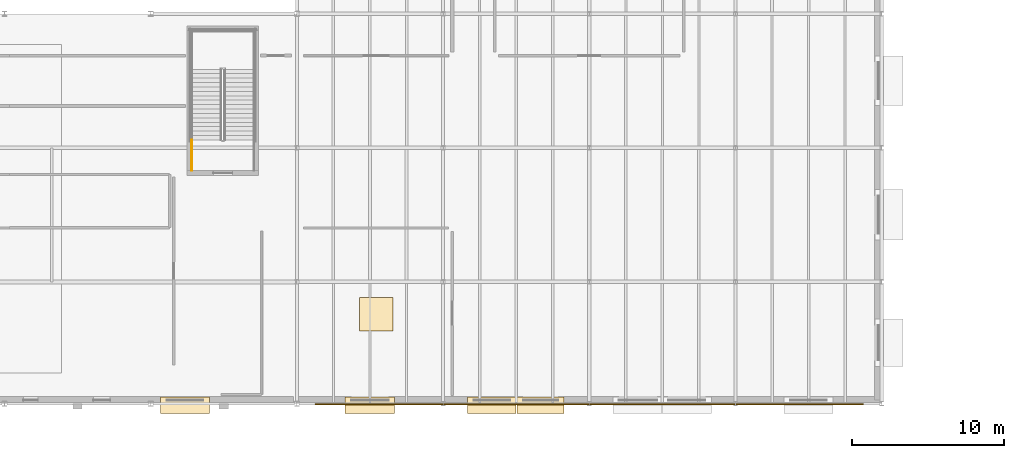
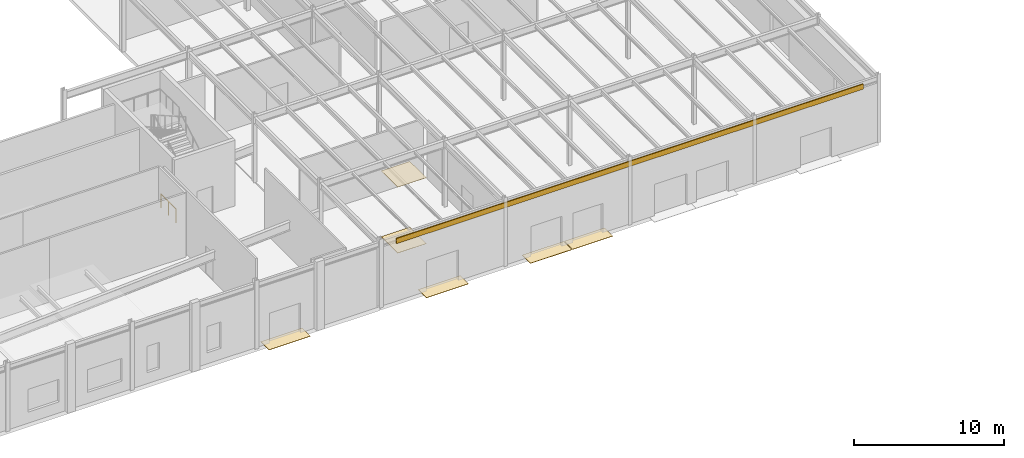
# One storey, part 57 of 70: 7 coverings, 1 railing.
"""IFC4 building model written with IfcOpenShell, lengths in metres."""

from ifc_helpers import new_model, si_unit, direction, frame, origin, origin_2d, place, context, subcontext, project, spatial, rectangle, circle, extrude, material, layer, layer_set, type_object, element, save


model = new_model("IFC4")

# Units and contexts
model_context = context("Model", 3, precision=1e-05, world=origin(), true_north=direction((0.0, 1.0)))
body_context = subcontext(model_context, "Body", "Model", "MODEL_VIEW")
ifc_project = project(units=[si_unit("LENGTHUNIT", "METRE"), si_unit("AREAUNIT", "SQUARE_METRE"), si_unit("VOLUMEUNIT", "CUBIC_METRE"), si_unit("PLANEANGLEUNIT", "RADIAN"), si_unit("MASSUNIT", "GRAM", prefix="KILO")], contexts=[model_context])

# Site, building, storey
site_placement = place(None, origin())
site = spatial("IfcSite", under=ifc_project, at=site_placement, CompositionType="ELEMENT")
building_placement = place(site_placement, origin())
building = spatial("IfcBuilding", under=site, at=building_placement, Name="Sarnbrook Museum", CompositionType="ELEMENT")
storey_placement = place(building_placement, origin())
storey = spatial("IfcBuildingStorey", under=building, at=storey_placement, Name="L00", CompositionType="ELEMENT", Elevation=0.0)

# Coverings
ifc_material_1 = material(Name="Fire-Rated Acoustic Gypsum Plasterboard")
ifc_layer_1 = layer(ifc_material_1, 0.01806640625)
ifc_layer_set_1 = layer_set([ifc_layer_1], Name="Fire-Rated Acoustic Gypsum Plasterboard")
covering_type_1 = type_object("IfcCoveringType", Name="Ceil_Acoustic18", PredefinedType="CEILING", material=ifc_layer_set_1)
covering_1_placement = place(storey_placement, frame((86.010009765625, 10.68505859375, 5.3720703125), z_axis=(0.0, 0.0, 1.0), x_axis=(1.0, 0.0, 0.0)))
element("IfcCovering", 1, at=covering_1_placement, inside=storey, type_object=covering_type_1, Name="Acoustic Ceiling Baffle Panel L00-04", PredefinedType="CEILING", context=body_context, shape_type="SweptSolid", body=[
    extrude(rectangle(XDim=2.199951171875, YDim=2.199951171875, at=origin_2d()), origin(), (0.0, 0.0, 1.0), 0.01806640625),
])
ifc_material_2 = material(Name="Barrabool Sandstone Ashlar Cladding", Category="masonry")
ifc_layer_2 = layer(ifc_material_2, 0.074951171875)
ifc_layer_set_2 = layer_set([ifc_layer_2], Name="Barrabool Sandstone Ashlar Cladding")
covering_type_2 = type_object("IfcCoveringType", Name="Cladding_SandstoneCornice", PredefinedType="CLADDING", material=ifc_layer_set_2)
covering_2_placement = place(storey_placement, frame((100.0, 4.764892578125, 4.739990234375), z_axis=(0.0, 0.0, 1.0), x_axis=(1.0, 0.0, 0.0)))
element("IfcCovering", 2, at=covering_2_placement, inside=storey, type_object=covering_type_2, Name="Classical Dressed Sandstone Entablature Cornice CL-2", PredefinedType="CLADDING", context=body_context, shape_type="SweptSolid", body=[
    extrude(rectangle(XDim=36.0, YDim=0.080078125, at=origin_2d()), origin(), (0.0, 0.0, 1.0), 0.419921875),
])
ifc_material_3 = material(Name="Honed Bluestone and Marble Terrazzo Flooring", Category="masonry")
ifc_layer_3 = layer(ifc_material_3, 0.02001953125)
ifc_layer_set_3 = layer_set([ifc_layer_3], Name="Honed Bluestone and Marble Terrazzo Flooring")
covering_type_3 = type_object("IfcCoveringType", Name="Floor_Terrazzo20", PredefinedType="FLOORING", material=ifc_layer_set_3)
covering_3_placement = place(storey_placement, frame((86.010009765625, 10.68505859375, 0.0), z_axis=(0.0, 0.0, 1.0), x_axis=(1.0, 0.0, 0.0)))
element("IfcCovering", 3, at=covering_3_placement, inside=storey, type_object=covering_type_3, Name="Gallery Floor Finish Panel L00-04", PredefinedType="FLOORING", context=body_context, shape_type="SweptSolid", body=[
    extrude(rectangle(XDim=2.199951171875, YDim=2.199951171875, at=origin_2d()), origin(), (0.0, 0.0, 1.0), 0.02001953125),
])

# Railing
ifc_material_4 = material(Name="Brushed Stainless Steel Grade 316", Category="steel")
ifc_layer_4 = layer(ifc_material_4, 0.050048828125)
ifc_layer_set_4 = layer_set([ifc_layer_4], Name="Brushed Stainless Steel Grade 316")
railing_type = type_object("IfcRailingType", Name="Guard_Int1120", PredefinedType="BALUSTRADE", material=ifc_layer_set_4)
railing_placement = place(storey_placement, frame((73.889892578125, 20.10009765625, 0.0)))
element("IfcRailing", 4, at=railing_placement, inside=storey, type_object=railing_type, Name="L00 ST8 stair guard 9", PredefinedType="BALUSTRADE", context=body_context, shape_type="SweptSolid", body=[
    extrude(circle(Radius=0.02392578125, at=origin_2d()), frame((0.0, 0.0, 1.09619140625), z_axis=(0.0, 1.0, 0.0), x_axis=(-1.0, 0.0, 0.0)), (0.0, 0.0, 1.0), 2.02001953125),
    extrude(circle(Radius=0.02099609375, at=origin_2d()), origin(), (0.0, 0.0, 1.0), 1.072021484375),
    extrude(circle(Radius=0.02099609375, at=origin_2d()), frame((0.0, 1.010009765625, 0.0)), (0.0, 0.0, 1.0), 1.072021484375),
    extrude(circle(Radius=0.02099609375, at=origin_2d()), frame((0.0, 2.02001953125, 0.0)), (0.0, 0.0, 1.0), 1.072021484375),
])

# Coverings
ifc_material_5 = material(Name="Victorian Bluestone Ashlar Masonry", Category="masonry")
ifc_layer_5 = layer(ifc_material_5, 0.030029296875)
ifc_layer_set_5 = layer_set([ifc_layer_5], Name="Victorian Bluestone Ashlar Masonry")
covering_type_4 = type_object("IfcCoveringType", Name="Paving_BluestoneApron", PredefinedType="FLOORING", material=ifc_layer_set_5)
covering_4_placement = place(storey_placement, frame((85.60009765625, 4.702392578125, -0.02978515625), z_axis=(0.0, 0.0, 1.0), x_axis=(1.0, 0.0, 0.0)))
element("IfcCovering", 5, at=covering_4_placement, inside=storey, type_object=covering_type_4, Name="Exterior Bluestone Entry Paving 03", PredefinedType="FLOORING", context=body_context, shape_type="SweptSolid", body=[
    extrude(rectangle(XDim=3.25, YDim=1.10498046875, at=origin_2d()), origin(), (0.0, 0.0, 1.0), 0.030029296875),
])
covering_5_placement = place(storey_placement, frame((93.60009765625, 4.702392578125, -0.02978515625), z_axis=(0.0, 0.0, 1.0), x_axis=(1.0, 0.0, 0.0)))
element("IfcCovering", 6, at=covering_5_placement, inside=storey, type_object=covering_type_4, Name="Exterior Bluestone Entry Paving 04", PredefinedType="FLOORING", context=body_context, shape_type="SweptSolid", body=[
    extrude(rectangle(XDim=3.199951171875, YDim=1.10498046875, at=origin_2d()), origin(), (0.0, 0.0, 1.0), 0.030029296875),
])
covering_6_placement = place(storey_placement, frame((96.800048828125, 4.702392578125, -0.02978515625), z_axis=(0.0, 0.0, 1.0), x_axis=(1.0, 0.0, 0.0)))
element("IfcCovering", 7, at=covering_6_placement, inside=storey, type_object=covering_type_4, Name="Exterior Bluestone Entry Paving 05", PredefinedType="FLOORING", context=body_context, shape_type="SweptSolid", body=[
    extrude(rectangle(XDim=3.10009765625, YDim=1.10498046875, at=origin_2d()), origin(), (0.0, 0.0, 1.0), 0.030029296875),
])
covering_7_placement = place(storey_placement, frame((73.449951171875, 4.702392578125, -0.02978515625), z_axis=(0.0, 0.0, 1.0), x_axis=(1.0, 0.0, 0.0)))
element("IfcCovering", 8, at=covering_7_placement, inside=storey, type_object=covering_type_4, Name="Exterior Bluestone Entry Paving 34", PredefinedType="FLOORING", context=body_context, shape_type="SweptSolid", body=[
    extrude(rectangle(XDim=3.199951171875, YDim=1.10498046875, at=origin_2d()), origin(), (0.0, 0.0, 1.0), 0.030029296875),
])

save(model, "model.ifc")
